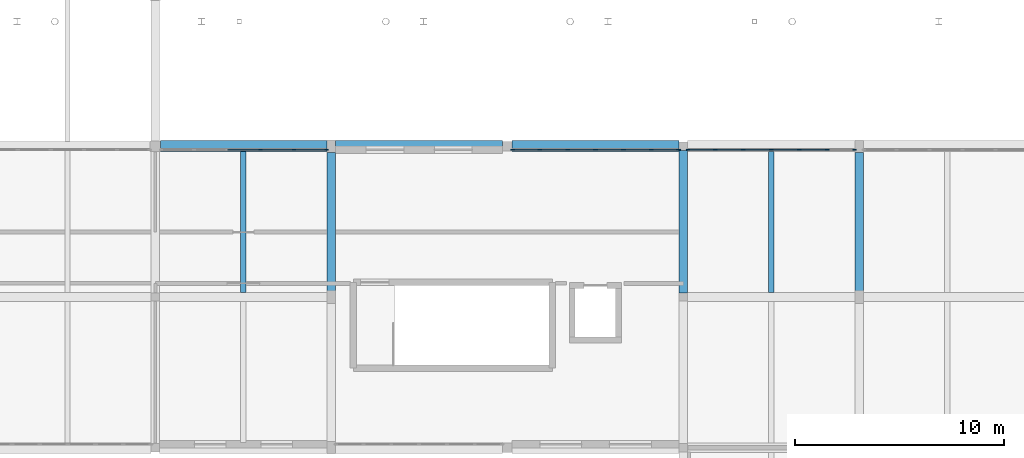
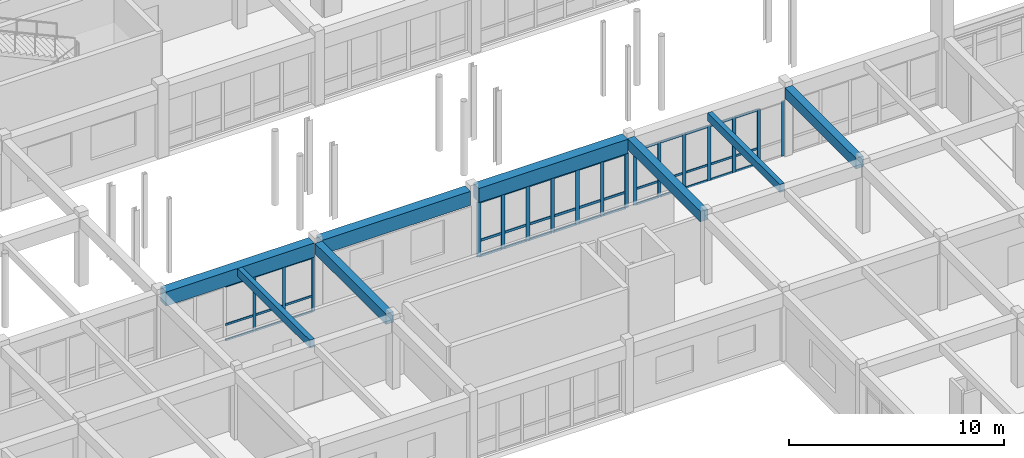
# One storey, part 49 of 147: 59 members, 8 beams, 3 elements without a shape of their own.
"""IFC4 building model written with IfcOpenShell, lengths in metres."""

from ifc_helpers import new_model, si_unit, direction, frame, origin, origin_2d, place, context, subcontext, project, spatial, rectangle, extrude, material, material_profile, profile_set, type_object, element, aggregate, save


model = new_model("IFC4")

# Units and contexts
model_context = context("Model", 3, precision=1e-05, world=origin(), true_north=direction((0.0, 1.0)))
body_context = subcontext(model_context, "Body", "Model", "MODEL_VIEW")
ifc_project = project(units=[si_unit("LENGTHUNIT", "METRE"), si_unit("AREAUNIT", "SQUARE_METRE"), si_unit("VOLUMEUNIT", "CUBIC_METRE"), si_unit("PLANEANGLEUNIT", "RADIAN"), si_unit("MASSUNIT", "GRAM", prefix="KILO")], contexts=[model_context])

# Site, building, storey
site_placement = place(None, origin())
site = spatial("IfcSite", under=ifc_project, at=site_placement, CompositionType="ELEMENT")
building_placement = place(site_placement, origin())
building = spatial("IfcBuilding", under=site, at=building_placement, Name="Malvenik Polytechnic", CompositionType="ELEMENT")
storey_placement = place(building_placement, frame((0.0, 0.0, 5.10009765625)))
storey = spatial("IfcBuildingStorey", under=building, at=storey_placement, Name="L01", CompositionType="ELEMENT", Elevation=5.10009765625)

# Curtain wall, members
ifc_material_1 = material(Name="Anodised aluminium 6060-T6", Category="aluminium")
curtain_wall_type = type_object("IfcCurtainWallType", Name="ARC-CW-CW-02", PredefinedType="NOTDEFINED", material=ifc_material_1)
curtain_wall_1_placement = place(storey_placement, origin())
curtain_wall_1 = element("IfcCurtainWall", 1, at=curtain_wall_1_placement, inside=storey, type_object=curtain_wall_type, Name="Unitised Curtain Wall CW-02 L01 #95", PredefinedType="NOTDEFINED")
ifc_material_2 = material(Name="Anodised aluminium", Category="aluminium")
ifc_material_profile_1 = material_profile(ifc_material_2, rectangle(XDim=0.06005859375, YDim=0.159912109375, at=origin_2d()), Name="ALU MULLION 60x160")
ifc_profile_set_1 = profile_set([ifc_material_profile_1], Name="Anodised aluminium")
member_type_1 = type_object("IfcMemberType", Name="ARC-CWM-160", PredefinedType="MULLION", material=ifc_profile_set_1)
member_1_placement = place(storey_placement, frame((97.42041015625, 35.830078125, 0.0), z_axis=(0.0, 0.0, 1.0), x_axis=(0.0, 1.0, 0.0)))
member_1 = element("IfcMember", 2, at=member_1_placement, type_object=member_type_1, Name="CW-02 mullion 4", PredefinedType="MULLION", context=body_context, shape_type="SweptSolid", body=[
    extrude(rectangle(XDim=0.06005859375, YDim=0.159912109375, at=origin_2d()), origin(), (0.0, 0.0, 1.0), 3.10986328125),
])
member_2_placement = place(storey_placement, frame((99.01123046875, 35.830078125, 0.0), z_axis=(0.0, 0.0, 1.0), x_axis=(0.0, 1.0, 0.0)))
member_2 = element("IfcMember", 3, at=member_2_placement, type_object=member_type_1, Name="CW-02 mullion 5", PredefinedType="MULLION", context=body_context, shape_type="SweptSolid", body=[
    extrude(rectangle(XDim=0.06005859375, YDim=0.159912109375, at=origin_2d()), origin(), (0.0, 0.0, 1.0), 3.10986328125),
])
member_3_placement = place(storey_placement, frame((100.572021484375, 35.830078125, 0.0), z_axis=(0.0, 0.0, 1.0), x_axis=(0.0, 1.0, 0.0)))
member_3 = element("IfcMember", 4, at=member_3_placement, type_object=member_type_1, Name="CW-02 mullion 6", PredefinedType="MULLION", context=body_context, shape_type="SweptSolid", body=[
    extrude(rectangle(XDim=0.06005859375, YDim=0.159912109375, at=origin_2d()), origin(), (0.0, 0.0, 1.0), 3.10986328125),
])

curtain_wall_2_placement = place(storey_placement, origin())
curtain_wall_2 = element("IfcCurtainWall", 5, at=curtain_wall_2_placement, inside=storey, type_object=curtain_wall_type, Name="Unitised Curtain Wall CW-02 L01 #97", PredefinedType="NOTDEFINED")
ifc_material_profile_2 = material_profile(ifc_material_2, rectangle(XDim=0.06005859375, YDim=0.179931640625, at=origin_2d()), Name="ALU MULLION 60x180")
ifc_profile_set_2 = profile_set([ifc_material_profile_2], Name="Anodised aluminium")
member_type_2 = type_object("IfcMemberType", Name="ARC-CWM-180", PredefinedType="MULLION", material=ifc_profile_set_2)
member_4_placement = place(storey_placement, frame((117.827880859375, 35.830078125, 0.0), z_axis=(0.0, 0.0, 1.0), x_axis=(0.0, 1.0, 0.0)))
member_4 = element("IfcMember", 6, at=member_4_placement, type_object=member_type_2, Name="CW-02 mullion 1", PredefinedType="MULLION", context=body_context, shape_type="SweptSolid", body=[
    extrude(rectangle(XDim=0.06005859375, YDim=0.179931640625, at=origin_2d()), origin(), (0.0, 0.0, 1.0), 3.10986328125),
])
member_5_placement = place(storey_placement, frame((119.132080078125, 35.830078125, 0.0), z_axis=(0.0, 0.0, 1.0), x_axis=(0.0, 1.0, 0.0)))
member_5 = element("IfcMember", 7, at=member_5_placement, type_object=member_type_2, Name="CW-02 mullion 2", PredefinedType="MULLION", context=body_context, shape_type="SweptSolid", body=[
    extrude(rectangle(XDim=0.06005859375, YDim=0.179931640625, at=origin_2d()), origin(), (0.0, 0.0, 1.0), 3.10986328125),
])
member_6_placement = place(storey_placement, frame((120.466064453125, 35.830078125, 0.0), z_axis=(0.0, 0.0, 1.0), x_axis=(0.0, 1.0, 0.0)))
member_6 = element("IfcMember", 8, at=member_6_placement, type_object=member_type_2, Name="CW-02 mullion 3", PredefinedType="MULLION", context=body_context, shape_type="SweptSolid", body=[
    extrude(rectangle(XDim=0.06005859375, YDim=0.179931640625, at=origin_2d()), origin(), (0.0, 0.0, 1.0), 3.10986328125),
])
member_7_placement = place(storey_placement, frame((121.800048828125, 35.830078125, 0.0), z_axis=(0.0, 0.0, 1.0), x_axis=(0.0, 1.0, 0.0)))
member_7 = element("IfcMember", 9, at=member_7_placement, type_object=member_type_2, Name="CW-02 mullion 4", PredefinedType="MULLION", context=body_context, shape_type="SweptSolid", body=[
    extrude(rectangle(XDim=0.06005859375, YDim=0.179931640625, at=origin_2d()), origin(), (0.0, 0.0, 1.0), 3.10986328125),
])
member_8_placement = place(storey_placement, frame((123.134033203125, 35.830078125, 0.0), z_axis=(0.0, 0.0, 1.0), x_axis=(0.0, 1.0, 0.0)))
member_8 = element("IfcMember", 10, at=member_8_placement, type_object=member_type_2, Name="CW-02 mullion 5", PredefinedType="MULLION", context=body_context, shape_type="SweptSolid", body=[
    extrude(rectangle(XDim=0.06005859375, YDim=0.179931640625, at=origin_2d()), origin(), (0.0, 0.0, 1.0), 3.10986328125),
])
member_9_placement = place(storey_placement, frame((124.468017578125, 35.830078125, 0.0), z_axis=(0.0, 0.0, 1.0), x_axis=(0.0, 1.0, 0.0)))
member_9 = element("IfcMember", 11, at=member_9_placement, type_object=member_type_2, Name="CW-02 mullion 6", PredefinedType="MULLION", context=body_context, shape_type="SweptSolid", body=[
    extrude(rectangle(XDim=0.06005859375, YDim=0.179931640625, at=origin_2d()), origin(), (0.0, 0.0, 1.0), 3.10986328125),
])
member_10_placement = place(storey_placement, frame((125.77197265625, 35.830078125, 0.0), z_axis=(0.0, 0.0, 1.0), x_axis=(0.0, 1.0, 0.0)))
member_10 = element("IfcMember", 12, at=member_10_placement, type_object=member_type_2, Name="CW-02 mullion 7", PredefinedType="MULLION", context=body_context, shape_type="SweptSolid", body=[
    extrude(rectangle(XDim=0.06005859375, YDim=0.179931640625, at=origin_2d()), origin(), (0.0, 0.0, 1.0), 3.10986328125),
])

curtain_wall_3_placement = place(storey_placement, origin())
curtain_wall_3 = element("IfcCurtainWall", 13, at=curtain_wall_3_placement, inside=storey, type_object=curtain_wall_type, Name="Unitised Curtain Wall CW-02 L01 #96", PredefinedType="NOTDEFINED")
ifc_material_profile_3 = material_profile(ifc_material_2, rectangle(XDim=0.06005859375, YDim=0.199951171875, at=origin_2d()), Name="ALU MULLION 60x200")
ifc_profile_set_3 = profile_set([ifc_material_profile_3], Name="Anodised aluminium")
member_type_3 = type_object("IfcMemberType", Name="ARC-CWM-200", PredefinedType="MULLION", material=ifc_profile_set_3)
member_11_placement = place(storey_placement, frame((109.452880859375, 35.830078125, 0.0), z_axis=(0.0, 0.0, 1.0), x_axis=(0.0, 1.0, 0.0)))
member_11 = element("IfcMember", 14, at=member_11_placement, type_object=member_type_3, Name="CW-02 mullion 1", PredefinedType="MULLION", context=body_context, shape_type="SweptSolid", body=[
    extrude(rectangle(XDim=0.06005859375, YDim=0.199951171875, at=origin_2d()), origin(), (0.0, 0.0, 1.0), 3.10986328125),
])
member_12_placement = place(storey_placement, frame((110.7529296875, 35.830078125, 0.0), z_axis=(0.0, 0.0, 1.0), x_axis=(0.0, 1.0, 0.0)))
member_12 = element("IfcMember", 15, at=member_12_placement, type_object=member_type_3, Name="CW-02 mullion 2", PredefinedType="MULLION", context=body_context, shape_type="SweptSolid", body=[
    extrude(rectangle(XDim=0.06005859375, YDim=0.199951171875, at=origin_2d()), origin(), (0.0, 0.0, 1.0), 3.10986328125),
])
member_13_placement = place(storey_placement, frame((112.082763671875, 35.830078125, 0.0), z_axis=(0.0, 0.0, 1.0), x_axis=(0.0, 1.0, 0.0)))
member_13 = element("IfcMember", 16, at=member_13_placement, type_object=member_type_3, Name="CW-02 mullion 3", PredefinedType="MULLION", context=body_context, shape_type="SweptSolid", body=[
    extrude(rectangle(XDim=0.06005859375, YDim=0.199951171875, at=origin_2d()), origin(), (0.0, 0.0, 1.0), 3.10986328125),
])
member_14_placement = place(storey_placement, frame((113.41259765625, 35.830078125, 0.0), z_axis=(0.0, 0.0, 1.0), x_axis=(0.0, 1.0, 0.0)))
member_14 = element("IfcMember", 17, at=member_14_placement, type_object=member_type_3, Name="CW-02 mullion 4", PredefinedType="MULLION", context=body_context, shape_type="SweptSolid", body=[
    extrude(rectangle(XDim=0.06005859375, YDim=0.199951171875, at=origin_2d()), origin(), (0.0, 0.0, 1.0), 3.10986328125),
])
member_15_placement = place(storey_placement, frame((114.742431640625, 35.830078125, 0.0), z_axis=(0.0, 0.0, 1.0), x_axis=(0.0, 1.0, 0.0)))
member_15 = element("IfcMember", 18, at=member_15_placement, type_object=member_type_3, Name="CW-02 mullion 5", PredefinedType="MULLION", context=body_context, shape_type="SweptSolid", body=[
    extrude(rectangle(XDim=0.06005859375, YDim=0.199951171875, at=origin_2d()), origin(), (0.0, 0.0, 1.0), 3.10986328125),
])
member_16_placement = place(storey_placement, frame((116.072265625, 35.830078125, 0.0), z_axis=(0.0, 0.0, 1.0), x_axis=(0.0, 1.0, 0.0)))
member_16 = element("IfcMember", 19, at=member_16_placement, type_object=member_type_3, Name="CW-02 mullion 6", PredefinedType="MULLION", context=body_context, shape_type="SweptSolid", body=[
    extrude(rectangle(XDim=0.06005859375, YDim=0.199951171875, at=origin_2d()), origin(), (0.0, 0.0, 1.0), 3.10986328125),
])
member_17_placement = place(storey_placement, frame((117.3720703125, 35.830078125, 0.0), z_axis=(0.0, 0.0, 1.0), x_axis=(0.0, 1.0, 0.0)))
member_17 = element("IfcMember", 20, at=member_17_placement, type_object=member_type_3, Name="CW-02 mullion 7", PredefinedType="MULLION", context=body_context, shape_type="SweptSolid", body=[
    extrude(rectangle(XDim=0.06005859375, YDim=0.199951171875, at=origin_2d()), origin(), (0.0, 0.0, 1.0), 3.10986328125),
])

# Member
ifc_material_profile_4 = material_profile(ifc_material_2, rectangle(XDim=0.06005859375, YDim=0.1201171875, at=origin_2d()), Name="ALU TRANSOM 60x120")
ifc_profile_set_4 = profile_set([ifc_material_profile_4], Name="Anodised aluminium")
member_type_4 = type_object("IfcMemberType", Name="ARC-CWT-120", PredefinedType="USERDEFINED", material=ifc_profile_set_4)
member_18_placement = place(storey_placement, frame((95.859619140625, 35.830078125, 0.02978515625), z_axis=(1.0, 0.0, 0.0), x_axis=(0.0, 1.0, 0.0)))
member_18 = element("IfcMember", 21, at=member_18_placement, type_object=member_type_4, Name="CW-02 transom 3.1", ObjectType="TRANSOM", PredefinedType="USERDEFINED", context=body_context, shape_type="SweptSolid", body=[
    extrude(rectangle(XDim=0.06005859375, YDim=0.1201171875, at=origin_2d()), origin(), (0.0, 0.0, 1.0), 1.53076171875),
])

member_19_placement = place(storey_placement, frame((95.859619140625, 35.830078125, 0.89990234375), z_axis=(1.0, 0.0, 0.0), x_axis=(0.0, 1.0, 0.0)))
member_19 = element("IfcMember", 22, at=member_19_placement, type_object=member_type_4, Name="CW-02 transom 3.2", ObjectType="TRANSOM", PredefinedType="USERDEFINED", context=body_context, shape_type="SweptSolid", body=[
    extrude(rectangle(XDim=0.06005859375, YDim=0.1201171875, at=origin_2d()), origin(), (0.0, 0.0, 1.0), 1.53076171875),
])

member_20_placement = place(storey_placement, frame((95.859619140625, 35.830078125, 3.079833984375), z_axis=(1.0, 0.0, 0.0), x_axis=(0.0, 1.0, 0.0)))
member_20 = element("IfcMember", 23, at=member_20_placement, type_object=member_type_4, Name="CW-02 transom 3.3", ObjectType="TRANSOM", PredefinedType="USERDEFINED", context=body_context, shape_type="SweptSolid", body=[
    extrude(rectangle(XDim=0.06005859375, YDim=0.1201171875, at=origin_2d()), origin(), (0.0, 0.0, 1.0), 1.53076171875),
])

member_21_placement = place(storey_placement, frame((97.450439453125, 35.830078125, 0.02978515625), z_axis=(1.0, 0.0, 0.0), x_axis=(0.0, 1.0, 0.0)))
member_21 = element("IfcMember", 24, at=member_21_placement, type_object=member_type_4, Name="CW-02 transom 4.1", ObjectType="TRANSOM", PredefinedType="USERDEFINED", context=body_context, shape_type="SweptSolid", body=[
    extrude(rectangle(XDim=0.06005859375, YDim=0.1201171875, at=origin_2d()), origin(), (0.0, 0.0, 1.0), 1.53076171875),
])

member_22_placement = place(storey_placement, frame((97.450439453125, 35.830078125, 0.89990234375), z_axis=(1.0, 0.0, 0.0), x_axis=(0.0, 1.0, 0.0)))
member_22 = element("IfcMember", 25, at=member_22_placement, type_object=member_type_4, Name="CW-02 transom 4.2", ObjectType="TRANSOM", PredefinedType="USERDEFINED", context=body_context, shape_type="SweptSolid", body=[
    extrude(rectangle(XDim=0.06005859375, YDim=0.1201171875, at=origin_2d()), origin(), (0.0, 0.0, 1.0), 1.53076171875),
])

member_23_placement = place(storey_placement, frame((97.450439453125, 35.830078125, 3.079833984375), z_axis=(1.0, 0.0, 0.0), x_axis=(0.0, 1.0, 0.0)))
member_23 = element("IfcMember", 26, at=member_23_placement, type_object=member_type_4, Name="CW-02 transom 4.3", ObjectType="TRANSOM", PredefinedType="USERDEFINED", context=body_context, shape_type="SweptSolid", body=[
    extrude(rectangle(XDim=0.06005859375, YDim=0.1201171875, at=origin_2d()), origin(), (0.0, 0.0, 1.0), 1.53076171875),
])

member_24_placement = place(storey_placement, frame((99.041259765625, 35.830078125, 0.02978515625), z_axis=(1.0, 0.0, 0.0), x_axis=(0.0, 1.0, 0.0)))
member_24 = element("IfcMember", 27, at=member_24_placement, type_object=member_type_4, Name="CW-02 transom 5.1", ObjectType="TRANSOM", PredefinedType="USERDEFINED", context=body_context, shape_type="SweptSolid", body=[
    extrude(rectangle(XDim=0.06005859375, YDim=0.1201171875, at=origin_2d()), origin(), (0.0, 0.0, 1.0), 1.500732421875),
])

member_25_placement = place(storey_placement, frame((99.041259765625, 35.830078125, 0.89990234375), z_axis=(1.0, 0.0, 0.0), x_axis=(0.0, 1.0, 0.0)))
member_25 = element("IfcMember", 28, at=member_25_placement, type_object=member_type_4, Name="CW-02 transom 5.2", ObjectType="TRANSOM", PredefinedType="USERDEFINED", context=body_context, shape_type="SweptSolid", body=[
    extrude(rectangle(XDim=0.06005859375, YDim=0.1201171875, at=origin_2d()), origin(), (0.0, 0.0, 1.0), 1.500732421875),
])

member_26_placement = place(storey_placement, frame((99.041259765625, 35.830078125, 3.079833984375), z_axis=(1.0, 0.0, 0.0), x_axis=(0.0, 1.0, 0.0)))
member_26 = element("IfcMember", 29, at=member_26_placement, type_object=member_type_4, Name="CW-02 transom 5.3", ObjectType="TRANSOM", PredefinedType="USERDEFINED", context=body_context, shape_type="SweptSolid", body=[
    extrude(rectangle(XDim=0.06005859375, YDim=0.1201171875, at=origin_2d()), origin(), (0.0, 0.0, 1.0), 1.500732421875),
])

aggregate(curtain_wall_1, [member_1, member_2, member_3, member_18, member_19, member_20, member_21, member_22, member_23, member_24, member_25, member_26])

member_27_placement = place(storey_placement, frame((117.85791015625, 35.830078125, 0.02978515625), z_axis=(1.0, 0.0, 0.0), x_axis=(0.0, 1.0, 0.0)))
member_27 = element("IfcMember", 30, at=member_27_placement, type_object=member_type_4, Name="CW-02 transom 1.1", ObjectType="TRANSOM", PredefinedType="USERDEFINED", context=body_context, shape_type="SweptSolid", body=[
    extrude(rectangle(XDim=0.06005859375, YDim=0.1201171875, at=origin_2d()), origin(), (0.0, 0.0, 1.0), 1.244140625),
])

member_28_placement = place(storey_placement, frame((117.85791015625, 35.830078125, 0.89990234375), z_axis=(1.0, 0.0, 0.0), x_axis=(0.0, 1.0, 0.0)))
member_28 = element("IfcMember", 31, at=member_28_placement, type_object=member_type_4, Name="CW-02 transom 1.2", ObjectType="TRANSOM", PredefinedType="USERDEFINED", context=body_context, shape_type="SweptSolid", body=[
    extrude(rectangle(XDim=0.06005859375, YDim=0.1201171875, at=origin_2d()), origin(), (0.0, 0.0, 1.0), 1.244140625),
])

member_29_placement = place(storey_placement, frame((117.85791015625, 35.830078125, 3.079833984375), z_axis=(1.0, 0.0, 0.0), x_axis=(0.0, 1.0, 0.0)))
member_29 = element("IfcMember", 32, at=member_29_placement, type_object=member_type_4, Name="CW-02 transom 1.3", ObjectType="TRANSOM", PredefinedType="USERDEFINED", context=body_context, shape_type="SweptSolid", body=[
    extrude(rectangle(XDim=0.06005859375, YDim=0.1201171875, at=origin_2d()), origin(), (0.0, 0.0, 1.0), 1.244140625),
])

member_30_placement = place(storey_placement, frame((119.162109375, 35.830078125, 0.02978515625), z_axis=(1.0, 0.0, 0.0), x_axis=(0.0, 1.0, 0.0)))
member_30 = element("IfcMember", 33, at=member_30_placement, type_object=member_type_4, Name="CW-02 transom 2.1", ObjectType="TRANSOM", PredefinedType="USERDEFINED", context=body_context, shape_type="SweptSolid", body=[
    extrude(rectangle(XDim=0.06005859375, YDim=0.1201171875, at=origin_2d()), origin(), (0.0, 0.0, 1.0), 1.27392578125),
])

member_31_placement = place(storey_placement, frame((119.162109375, 35.830078125, 0.89990234375), z_axis=(1.0, 0.0, 0.0), x_axis=(0.0, 1.0, 0.0)))
member_31 = element("IfcMember", 34, at=member_31_placement, type_object=member_type_4, Name="CW-02 transom 2.2", ObjectType="TRANSOM", PredefinedType="USERDEFINED", context=body_context, shape_type="SweptSolid", body=[
    extrude(rectangle(XDim=0.06005859375, YDim=0.1201171875, at=origin_2d()), origin(), (0.0, 0.0, 1.0), 1.27392578125),
])

member_32_placement = place(storey_placement, frame((119.162109375, 35.830078125, 3.079833984375), z_axis=(1.0, 0.0, 0.0), x_axis=(0.0, 1.0, 0.0)))
member_32 = element("IfcMember", 35, at=member_32_placement, type_object=member_type_4, Name="CW-02 transom 2.3", ObjectType="TRANSOM", PredefinedType="USERDEFINED", context=body_context, shape_type="SweptSolid", body=[
    extrude(rectangle(XDim=0.06005859375, YDim=0.1201171875, at=origin_2d()), origin(), (0.0, 0.0, 1.0), 1.27392578125),
])

member_33_placement = place(storey_placement, frame((120.49609375, 35.830078125, 0.02978515625), z_axis=(1.0, 0.0, 0.0), x_axis=(0.0, 1.0, 0.0)))
member_33 = element("IfcMember", 36, at=member_33_placement, type_object=member_type_4, Name="CW-02 transom 3.1", ObjectType="TRANSOM", PredefinedType="USERDEFINED", context=body_context, shape_type="SweptSolid", body=[
    extrude(rectangle(XDim=0.06005859375, YDim=0.1201171875, at=origin_2d()), origin(), (0.0, 0.0, 1.0), 1.27392578125),
])

member_34_placement = place(storey_placement, frame((120.49609375, 35.830078125, 0.89990234375), z_axis=(1.0, 0.0, 0.0), x_axis=(0.0, 1.0, 0.0)))
member_34 = element("IfcMember", 37, at=member_34_placement, type_object=member_type_4, Name="CW-02 transom 3.2", ObjectType="TRANSOM", PredefinedType="USERDEFINED", context=body_context, shape_type="SweptSolid", body=[
    extrude(rectangle(XDim=0.06005859375, YDim=0.1201171875, at=origin_2d()), origin(), (0.0, 0.0, 1.0), 1.27392578125),
])

member_35_placement = place(storey_placement, frame((120.49609375, 35.830078125, 3.079833984375), z_axis=(1.0, 0.0, 0.0), x_axis=(0.0, 1.0, 0.0)))
member_35 = element("IfcMember", 38, at=member_35_placement, type_object=member_type_4, Name="CW-02 transom 3.3", ObjectType="TRANSOM", PredefinedType="USERDEFINED", context=body_context, shape_type="SweptSolid", body=[
    extrude(rectangle(XDim=0.06005859375, YDim=0.1201171875, at=origin_2d()), origin(), (0.0, 0.0, 1.0), 1.27392578125),
])

member_36_placement = place(storey_placement, frame((121.830078125, 35.830078125, 0.02978515625), z_axis=(1.0, 0.0, 0.0), x_axis=(0.0, 1.0, 0.0)))
member_36 = element("IfcMember", 39, at=member_36_placement, type_object=member_type_4, Name="CW-02 transom 4.1", ObjectType="TRANSOM", PredefinedType="USERDEFINED", context=body_context, shape_type="SweptSolid", body=[
    extrude(rectangle(XDim=0.06005859375, YDim=0.1201171875, at=origin_2d()), origin(), (0.0, 0.0, 1.0), 1.27392578125),
])

member_37_placement = place(storey_placement, frame((121.830078125, 35.830078125, 0.89990234375), z_axis=(1.0, 0.0, 0.0), x_axis=(0.0, 1.0, 0.0)))
member_37 = element("IfcMember", 40, at=member_37_placement, type_object=member_type_4, Name="CW-02 transom 4.2", ObjectType="TRANSOM", PredefinedType="USERDEFINED", context=body_context, shape_type="SweptSolid", body=[
    extrude(rectangle(XDim=0.06005859375, YDim=0.1201171875, at=origin_2d()), origin(), (0.0, 0.0, 1.0), 1.27392578125),
])

member_38_placement = place(storey_placement, frame((121.830078125, 35.830078125, 3.079833984375), z_axis=(1.0, 0.0, 0.0), x_axis=(0.0, 1.0, 0.0)))
member_38 = element("IfcMember", 41, at=member_38_placement, type_object=member_type_4, Name="CW-02 transom 4.3", ObjectType="TRANSOM", PredefinedType="USERDEFINED", context=body_context, shape_type="SweptSolid", body=[
    extrude(rectangle(XDim=0.06005859375, YDim=0.1201171875, at=origin_2d()), origin(), (0.0, 0.0, 1.0), 1.27392578125),
])

member_39_placement = place(storey_placement, frame((123.1640625, 35.830078125, 0.02978515625), z_axis=(1.0, 0.0, 0.0), x_axis=(0.0, 1.0, 0.0)))
member_39 = element("IfcMember", 42, at=member_39_placement, type_object=member_type_4, Name="CW-02 transom 5.1", ObjectType="TRANSOM", PredefinedType="USERDEFINED", context=body_context, shape_type="SweptSolid", body=[
    extrude(rectangle(XDim=0.06005859375, YDim=0.1201171875, at=origin_2d()), origin(), (0.0, 0.0, 1.0), 1.27392578125),
])

member_40_placement = place(storey_placement, frame((123.1640625, 35.830078125, 0.89990234375), z_axis=(1.0, 0.0, 0.0), x_axis=(0.0, 1.0, 0.0)))
member_40 = element("IfcMember", 43, at=member_40_placement, type_object=member_type_4, Name="CW-02 transom 5.2", ObjectType="TRANSOM", PredefinedType="USERDEFINED", context=body_context, shape_type="SweptSolid", body=[
    extrude(rectangle(XDim=0.06005859375, YDim=0.1201171875, at=origin_2d()), origin(), (0.0, 0.0, 1.0), 1.27392578125),
])

member_41_placement = place(storey_placement, frame((123.1640625, 35.830078125, 3.079833984375), z_axis=(1.0, 0.0, 0.0), x_axis=(0.0, 1.0, 0.0)))
member_41 = element("IfcMember", 44, at=member_41_placement, type_object=member_type_4, Name="CW-02 transom 5.3", ObjectType="TRANSOM", PredefinedType="USERDEFINED", context=body_context, shape_type="SweptSolid", body=[
    extrude(rectangle(XDim=0.06005859375, YDim=0.1201171875, at=origin_2d()), origin(), (0.0, 0.0, 1.0), 1.27392578125),
])

aggregate(curtain_wall_2, [member_4, member_5, member_6, member_7, member_8, member_9, member_10, member_27, member_28, member_29, member_30, member_31, member_32, member_33, member_34, member_35, member_36, member_37, member_38, member_39, member_40, member_41])

ifc_material_profile_5 = material_profile(ifc_material_2, rectangle(XDim=0.06005859375, YDim=0.139892578125, at=origin_2d()), Name="ALU TRANSOM 60x140")
ifc_profile_set_5 = profile_set([ifc_material_profile_5], Name="Anodised aluminium")
member_type_5 = type_object("IfcMemberType", Name="ARC-CWT-140", PredefinedType="USERDEFINED", material=ifc_profile_set_5)
member_42_placement = place(storey_placement, frame((109.48291015625, 35.830078125, 0.02978515625), z_axis=(1.0, 0.0, 0.0), x_axis=(0.0, 1.0, 0.0)))
member_42 = element("IfcMember", 45, at=member_42_placement, type_object=member_type_5, Name="CW-02 transom 1.1", ObjectType="TRANSOM", PredefinedType="USERDEFINED", context=body_context, shape_type="SweptSolid", body=[
    extrude(rectangle(XDim=0.06005859375, YDim=0.139892578125, at=origin_2d()), origin(), (0.0, 0.0, 1.0), 1.239990234375),
])

member_43_placement = place(storey_placement, frame((109.48291015625, 35.830078125, 0.89990234375), z_axis=(1.0, 0.0, 0.0), x_axis=(0.0, 1.0, 0.0)))
member_43 = element("IfcMember", 46, at=member_43_placement, type_object=member_type_5, Name="CW-02 transom 1.2", ObjectType="TRANSOM", PredefinedType="USERDEFINED", context=body_context, shape_type="SweptSolid", body=[
    extrude(rectangle(XDim=0.06005859375, YDim=0.139892578125, at=origin_2d()), origin(), (0.0, 0.0, 1.0), 1.239990234375),
])

member_44_placement = place(storey_placement, frame((109.48291015625, 35.830078125, 3.079833984375), z_axis=(1.0, 0.0, 0.0), x_axis=(0.0, 1.0, 0.0)))
member_44 = element("IfcMember", 47, at=member_44_placement, type_object=member_type_5, Name="CW-02 transom 1.3", ObjectType="TRANSOM", PredefinedType="USERDEFINED", context=body_context, shape_type="SweptSolid", body=[
    extrude(rectangle(XDim=0.06005859375, YDim=0.139892578125, at=origin_2d()), origin(), (0.0, 0.0, 1.0), 1.239990234375),
])

member_45_placement = place(storey_placement, frame((110.78271484375, 35.830078125, 0.02978515625), z_axis=(1.0, 0.0, 0.0), x_axis=(0.0, 1.0, 0.0)))
member_45 = element("IfcMember", 48, at=member_45_placement, type_object=member_type_5, Name="CW-02 transom 2.1", ObjectType="TRANSOM", PredefinedType="USERDEFINED", context=body_context, shape_type="SweptSolid", body=[
    extrude(rectangle(XDim=0.06005859375, YDim=0.139892578125, at=origin_2d()), origin(), (0.0, 0.0, 1.0), 1.27001953125),
])

member_46_placement = place(storey_placement, frame((110.78271484375, 35.830078125, 0.89990234375), z_axis=(1.0, 0.0, 0.0), x_axis=(0.0, 1.0, 0.0)))
member_46 = element("IfcMember", 49, at=member_46_placement, type_object=member_type_5, Name="CW-02 transom 2.2", ObjectType="TRANSOM", PredefinedType="USERDEFINED", context=body_context, shape_type="SweptSolid", body=[
    extrude(rectangle(XDim=0.06005859375, YDim=0.139892578125, at=origin_2d()), origin(), (0.0, 0.0, 1.0), 1.27001953125),
])

member_47_placement = place(storey_placement, frame((110.78271484375, 35.830078125, 3.079833984375), z_axis=(1.0, 0.0, 0.0), x_axis=(0.0, 1.0, 0.0)))
member_47 = element("IfcMember", 50, at=member_47_placement, type_object=member_type_5, Name="CW-02 transom 2.3", ObjectType="TRANSOM", PredefinedType="USERDEFINED", context=body_context, shape_type="SweptSolid", body=[
    extrude(rectangle(XDim=0.06005859375, YDim=0.139892578125, at=origin_2d()), origin(), (0.0, 0.0, 1.0), 1.27001953125),
])

member_48_placement = place(storey_placement, frame((112.112548828125, 35.830078125, 0.02978515625), z_axis=(1.0, 0.0, 0.0), x_axis=(0.0, 1.0, 0.0)))
member_48 = element("IfcMember", 51, at=member_48_placement, type_object=member_type_5, Name="CW-02 transom 3.1", ObjectType="TRANSOM", PredefinedType="USERDEFINED", context=body_context, shape_type="SweptSolid", body=[
    extrude(rectangle(XDim=0.06005859375, YDim=0.139892578125, at=origin_2d()), origin(), (0.0, 0.0, 1.0), 1.27001953125),
])

member_49_placement = place(storey_placement, frame((112.112548828125, 35.830078125, 0.89990234375), z_axis=(1.0, 0.0, 0.0), x_axis=(0.0, 1.0, 0.0)))
member_49 = element("IfcMember", 52, at=member_49_placement, type_object=member_type_5, Name="CW-02 transom 3.2", ObjectType="TRANSOM", PredefinedType="USERDEFINED", context=body_context, shape_type="SweptSolid", body=[
    extrude(rectangle(XDim=0.06005859375, YDim=0.139892578125, at=origin_2d()), origin(), (0.0, 0.0, 1.0), 1.27001953125),
])

member_50_placement = place(storey_placement, frame((112.112548828125, 35.830078125, 3.079833984375), z_axis=(1.0, 0.0, 0.0), x_axis=(0.0, 1.0, 0.0)))
member_50 = element("IfcMember", 53, at=member_50_placement, type_object=member_type_5, Name="CW-02 transom 3.3", ObjectType="TRANSOM", PredefinedType="USERDEFINED", context=body_context, shape_type="SweptSolid", body=[
    extrude(rectangle(XDim=0.06005859375, YDim=0.139892578125, at=origin_2d()), origin(), (0.0, 0.0, 1.0), 1.27001953125),
])

member_51_placement = place(storey_placement, frame((113.4423828125, 35.830078125, 0.02978515625), z_axis=(1.0, 0.0, 0.0), x_axis=(0.0, 1.0, 0.0)))
member_51 = element("IfcMember", 54, at=member_51_placement, type_object=member_type_5, Name="CW-02 transom 4.1", ObjectType="TRANSOM", PredefinedType="USERDEFINED", context=body_context, shape_type="SweptSolid", body=[
    extrude(rectangle(XDim=0.06005859375, YDim=0.139892578125, at=origin_2d()), origin(), (0.0, 0.0, 1.0), 1.27001953125),
])

member_52_placement = place(storey_placement, frame((113.4423828125, 35.830078125, 0.89990234375), z_axis=(1.0, 0.0, 0.0), x_axis=(0.0, 1.0, 0.0)))
member_52 = element("IfcMember", 55, at=member_52_placement, type_object=member_type_5, Name="CW-02 transom 4.2", ObjectType="TRANSOM", PredefinedType="USERDEFINED", context=body_context, shape_type="SweptSolid", body=[
    extrude(rectangle(XDim=0.06005859375, YDim=0.139892578125, at=origin_2d()), origin(), (0.0, 0.0, 1.0), 1.27001953125),
])

member_53_placement = place(storey_placement, frame((113.4423828125, 35.830078125, 3.079833984375), z_axis=(1.0, 0.0, 0.0), x_axis=(0.0, 1.0, 0.0)))
member_53 = element("IfcMember", 56, at=member_53_placement, type_object=member_type_5, Name="CW-02 transom 4.3", ObjectType="TRANSOM", PredefinedType="USERDEFINED", context=body_context, shape_type="SweptSolid", body=[
    extrude(rectangle(XDim=0.06005859375, YDim=0.139892578125, at=origin_2d()), origin(), (0.0, 0.0, 1.0), 1.27001953125),
])

member_54_placement = place(storey_placement, frame((114.772216796875, 35.830078125, 0.02978515625), z_axis=(1.0, 0.0, 0.0), x_axis=(0.0, 1.0, 0.0)))
member_54 = element("IfcMember", 57, at=member_54_placement, type_object=member_type_5, Name="CW-02 transom 5.1", ObjectType="TRANSOM", PredefinedType="USERDEFINED", context=body_context, shape_type="SweptSolid", body=[
    extrude(rectangle(XDim=0.06005859375, YDim=0.139892578125, at=origin_2d()), origin(), (0.0, 0.0, 1.0), 1.27001953125),
])

member_55_placement = place(storey_placement, frame((114.772216796875, 35.830078125, 0.89990234375), z_axis=(1.0, 0.0, 0.0), x_axis=(0.0, 1.0, 0.0)))
member_55 = element("IfcMember", 58, at=member_55_placement, type_object=member_type_5, Name="CW-02 transom 5.2", ObjectType="TRANSOM", PredefinedType="USERDEFINED", context=body_context, shape_type="SweptSolid", body=[
    extrude(rectangle(XDim=0.06005859375, YDim=0.139892578125, at=origin_2d()), origin(), (0.0, 0.0, 1.0), 1.27001953125),
])

member_56_placement = place(storey_placement, frame((114.772216796875, 35.830078125, 3.079833984375), z_axis=(1.0, 0.0, 0.0), x_axis=(0.0, 1.0, 0.0)))
member_56 = element("IfcMember", 59, at=member_56_placement, type_object=member_type_5, Name="CW-02 transom 5.3", ObjectType="TRANSOM", PredefinedType="USERDEFINED", context=body_context, shape_type="SweptSolid", body=[
    extrude(rectangle(XDim=0.06005859375, YDim=0.139892578125, at=origin_2d()), origin(), (0.0, 0.0, 1.0), 1.27001953125),
])

member_57_placement = place(storey_placement, frame((116.10205078125, 35.830078125, 0.02978515625), z_axis=(1.0, 0.0, 0.0), x_axis=(0.0, 1.0, 0.0)))
member_57 = element("IfcMember", 60, at=member_57_placement, type_object=member_type_5, Name="CW-02 transom 6.1", ObjectType="TRANSOM", PredefinedType="USERDEFINED", context=body_context, shape_type="SweptSolid", body=[
    extrude(rectangle(XDim=0.06005859375, YDim=0.139892578125, at=origin_2d()), origin(), (0.0, 0.0, 1.0), 1.239990234375),
])

member_58_placement = place(storey_placement, frame((116.10205078125, 35.830078125, 0.89990234375), z_axis=(1.0, 0.0, 0.0), x_axis=(0.0, 1.0, 0.0)))
member_58 = element("IfcMember", 61, at=member_58_placement, type_object=member_type_5, Name="CW-02 transom 6.2", ObjectType="TRANSOM", PredefinedType="USERDEFINED", context=body_context, shape_type="SweptSolid", body=[
    extrude(rectangle(XDim=0.06005859375, YDim=0.139892578125, at=origin_2d()), origin(), (0.0, 0.0, 1.0), 1.239990234375),
])

member_59_placement = place(storey_placement, frame((116.10205078125, 35.830078125, 3.079833984375), z_axis=(1.0, 0.0, 0.0), x_axis=(0.0, 1.0, 0.0)))
member_59 = element("IfcMember", 62, at=member_59_placement, type_object=member_type_5, Name="CW-02 transom 6.3", ObjectType="TRANSOM", PredefinedType="USERDEFINED", context=body_context, shape_type="SweptSolid", body=[
    extrude(rectangle(XDim=0.06005859375, YDim=0.139892578125, at=origin_2d()), origin(), (0.0, 0.0, 1.0), 1.239990234375),
])

aggregate(curtain_wall_3, [member_11, member_12, member_13, member_14, member_15, member_16, member_17, member_42, member_43, member_44, member_45, member_46, member_47, member_48, member_49, member_50, member_51, member_52, member_53, member_54, member_55, member_56, member_57, member_58, member_59])

# Beams
ifc_material_3 = material(Name="Concrete C35/45", Category="concrete")
ifc_material_profile_6 = material_profile(ifc_material_3, rectangle(XDim=0.39990234375, YDim=0.60009765625, at=origin_2d()), Name="RC BM 400x600")
ifc_profile_set_6 = profile_set([ifc_material_profile_6], Name="Concrete C35/45")
beam_type_1 = type_object("IfcBeamType", Name="STR-BM-B-06", PredefinedType="BEAM", material=ifc_profile_set_6)
beam_1_placement = place(storey_placement, frame((100.800048828125, 29.097900390625, 3.619873046875), z_axis=(0.0, 1.0, 0.0), x_axis=(-1.0, 0.0, 0.0)))
element("IfcBeam", 63, at=beam_1_placement, inside=storey, type_object=beam_type_1, Name="Transverse Beam B-06 L01 #1208", PredefinedType="BEAM", context=body_context, shape_type="SweptSolid", body=[
    extrude(rectangle(XDim=0.39990234375, YDim=0.60009765625, at=origin_2d()), origin(), (0.0, 0.0, 1.0), 6.60400390625),
])
beam_2_placement = place(storey_placement, frame((117.60009765625, 28.998046875, 3.619873046875), z_axis=(0.0, 1.0, 0.0), x_axis=(-1.0, 0.0, 0.0)))
element("IfcBeam", 64, at=beam_2_placement, inside=storey, type_object=beam_type_1, Name="Transverse Beam B-06 L01 #1221", PredefinedType="BEAM", context=body_context, shape_type="SweptSolid", body=[
    extrude(rectangle(XDim=0.39990234375, YDim=0.60009765625, at=origin_2d()), origin(), (0.0, 0.0, 1.0), 6.803955078125),
])
beam_3_placement = place(storey_placement, frame((126.0, 29.097900390625, 3.619873046875), z_axis=(0.0, 1.0, 0.0), x_axis=(-1.0, 0.0, 0.0)))
element("IfcBeam", 65, at=beam_3_placement, inside=storey, type_object=beam_type_1, Name="Transverse Beam B-06 L01 #1232", PredefinedType="BEAM", context=body_context, shape_type="SweptSolid", body=[
    extrude(rectangle(XDim=0.39990234375, YDim=0.60009765625, at=origin_2d()), origin(), (0.0, 0.0, 1.0), 6.60400390625),
])
ifc_material_4 = material(Name="Concrete C30/37", Category="concrete")
ifc_material_profile_7 = material_profile(ifc_material_4, rectangle(XDim=0.25, YDim=0.449951171875, at=origin_2d()), Name="RC JST 250x450")
ifc_profile_set_7 = profile_set([ifc_material_profile_7], Name="Concrete C30/37")
beam_type_2 = type_object("IfcBeamType", Name="STR-BM-J-02", PredefinedType="JOIST", material=ifc_profile_set_7)
for number, where, z_axis, x_axis, name in (
    (66, (96.60009765625, 29.02294921875, 3.69482421875), (0.0, 1.0, 0.0), (-1.0, 0.0, 0.0), "Secondary Rib Joist J-02 L01 #1303"),
    (67, (121.800048828125, 29.02294921875, 3.69482421875), (0.0, 1.0, 0.0), (-1.0, 0.0, 0.0), "Secondary Rib Joist J-02 L01 #1313"),
):
    element("IfcBeam", number, at=place(storey_placement, frame(where, z_axis=z_axis, x_axis=x_axis)), inside=storey, type_object=beam_type_2, Name=name, PredefinedType="JOIST", context=body_context, shape_type="SweptSolid", body=[
        extrude(rectangle(XDim=0.25, YDim=0.449951171875, at=origin_2d()), origin(), (0.0, 0.0, 1.0), 6.718994140625),
    ])
ifc_material_5 = material(Name="Precast concrete C40/50", Category="concrete")
ifc_material_profile_8 = material_profile(ifc_material_5, rectangle(XDim=0.52001953125, YDim=0.800048828125, at=origin_2d()), Name="PC SPN 520x800")
ifc_profile_set_8 = profile_set([ifc_material_profile_8], Name="Precast concrete C40/50")
beam_type_3 = type_object("IfcBeamType", Name="STR-BM-SP-01", PredefinedType="SPANDREL", material=ifc_profile_set_8)
beam_4_placement = place(storey_placement, frame((92.64794921875, 36.0, 3.52001953125), z_axis=(1.0, 0.0, 0.0), x_axis=(0.0, 1.0, 0.0)))
element("IfcBeam", 68, at=beam_4_placement, inside=storey, type_object=beam_type_3, Name="Primary Beam SP-01 L01 #993", PredefinedType="SPANDREL", context=body_context, shape_type="SweptSolid", body=[
    extrude(rectangle(XDim=0.52001953125, YDim=0.800048828125, at=origin_2d()), origin(), (0.0, 0.0, 1.0), 7.9541015625),
])
for number, where, z_axis, x_axis, name in (
    (69, (100.998046875, 36.0, 3.52001953125), (1.0, 0.0, 0.0), (0.0, 1.0, 0.0), "Primary Beam SP-01 L01 #994"),
    (70, (109.423095703125, 36.0, 3.52001953125), (1.0, 0.0, 0.0), (0.0, 1.0, 0.0), "Primary Beam SP-01 L01 #995"),
):
    element("IfcBeam", number, at=place(storey_placement, frame(where, z_axis=z_axis, x_axis=x_axis)), inside=storey, type_object=beam_type_3, Name=name, PredefinedType="SPANDREL", context=body_context, shape_type="SweptSolid", body=[
        extrude(rectangle(XDim=0.52001953125, YDim=0.800048828125, at=origin_2d()), origin(), (0.0, 0.0, 1.0), 7.97900390625),
    ])

save(model, "model.ifc")
